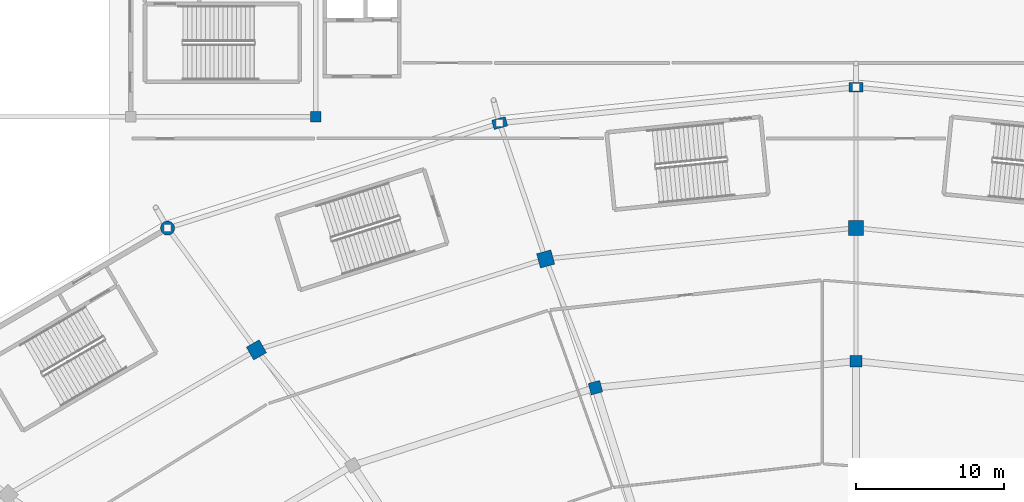
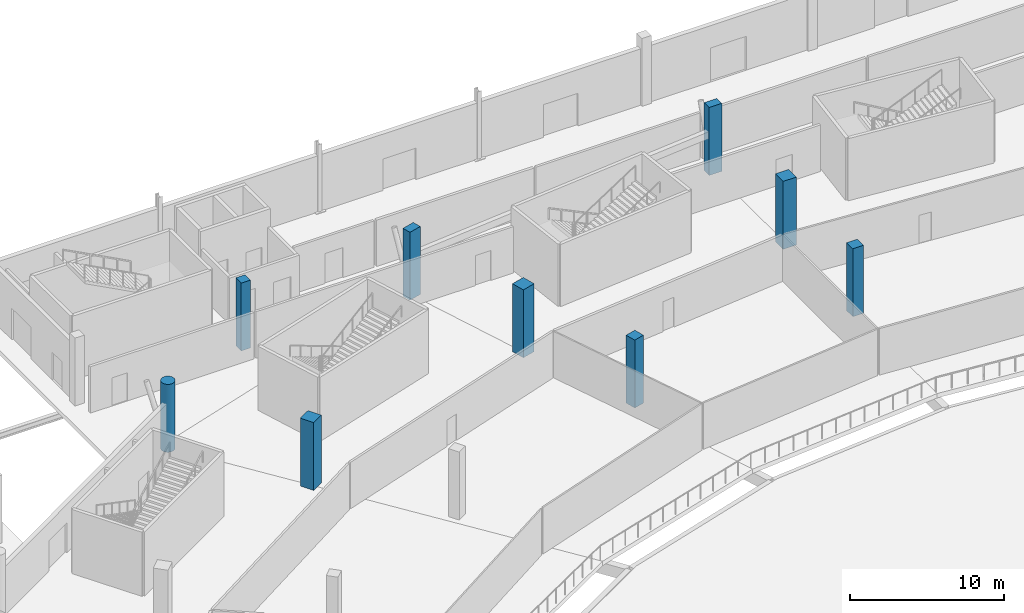
# One storey, part 18 of 82: 9 columns.
"""IFC4 building model written with IfcOpenShell, lengths in metres."""

from ifc_helpers import new_model, si_unit, direction, frame, origin, origin_2d, place, context, subcontext, project, spatial, rectangle, circle, extrude, material, material_profile, profile_set, type_object, element, save


model = new_model("IFC4")

# Units and contexts
model_context = context("Model", 3, precision=1e-05, world=origin(), true_north=direction((0.0, 1.0)))
body_context = subcontext(model_context, "Body", "Model", "MODEL_VIEW")
ifc_project = project(units=[si_unit("LENGTHUNIT", "METRE"), si_unit("AREAUNIT", "SQUARE_METRE"), si_unit("VOLUMEUNIT", "CUBIC_METRE"), si_unit("PLANEANGLEUNIT", "RADIAN"), si_unit("MASSUNIT", "GRAM", prefix="KILO")], contexts=[model_context])

# Site, building, storey
site_placement = place(None, origin())
site = spatial("IfcSite", under=ifc_project, at=site_placement, CompositionType="ELEMENT")
building_placement = place(site_placement, origin())
building = spatial("IfcBuilding", under=site, at=building_placement, Name="Zlatoyarsky Gate Stadium", CompositionType="ELEMENT")
storey_placement = place(building_placement, origin())
storey = spatial("IfcBuildingStorey", under=building, at=storey_placement, Name="L00", CompositionType="ELEMENT", Elevation=0.0)

# Columns
ifc_material = material(Name="Concrete C40/50", Category="concrete")
ifc_material_profile_1 = material_profile(ifc_material, circle(Radius=0.47509765625, at=origin_2d()), Name="RC COL D950")
ifc_profile_set_1 = profile_set([ifc_material_profile_1], Name="Concrete C40/50")
column_type_1 = type_object("IfcColumnType", Name="CONCRETE CIRCULAR COLUMN D950", PredefinedType="COLUMN", material=ifc_profile_set_1)
column_1_placement = place(storey_placement, frame((64.5, 141.48779296875, 0.0), z_axis=(0.0, 0.0, 1.0), x_axis=(-0.5, 0.866025403784, 0.0)))
element("IfcColumn", 1, at=column_1_placement, inside=storey, type_object=column_type_1, Name="Column RC-CD95 RC-08 on L00", PredefinedType="COLUMN", context=body_context, shape_type="SweptSolid", body=[
    extrude(circle(Radius=0.47509765625, at=origin_2d()), origin(), (0.0, 0.0, 1.0), 5.39990234375),
])
ifc_material_profile_2 = material_profile(ifc_material, rectangle(XDim=1.0, YDim=1.0, at=origin_2d()), Name="RC COL 1000X1000")
ifc_profile_set_2 = profile_set([ifc_material_profile_2], Name="Concrete C40/50")
column_type_2 = type_object("IfcColumnType", Name="CONCRETE COLUMN 1000X1000", PredefinedType="COLUMN", material=ifc_profile_set_2)
for number, where, z_axis, x_axis, name in (
    (2, (111.0, 141.5, 0.0), (0.0, 0.0, 1.0), (0.0, 1.0, 0.0), "Column RC-C100 RB-06 on L00"),
    (3, (90.03564453125, 139.404296875, 0.0), (0.0, 0.0, 1.0), (-0.258819045103, 0.965925826289, 0.0), "Column RC-C100 RB-07 on L00"),
    (4, (70.5, 133.260498046875, 0.0), (0.0, 0.0, 1.0), (-0.5, 0.866025403784, 0.0), "Column RC-C100 RB-08 on L00"),
):
    element("IfcColumn", number, at=place(storey_placement, frame(where, z_axis=z_axis, x_axis=x_axis)), inside=storey, type_object=column_type_2, Name=name, PredefinedType="COLUMN", context=body_context, shape_type="SweptSolid", body=[
        extrude(rectangle(XDim=1.0, YDim=1.0, at=origin_2d()), origin(), (0.0, 0.0, 1.0), 5.39990234375),
    ])
ifc_material_profile_3 = material_profile(ifc_material, rectangle(XDim=0.699951171875, YDim=0.699951171875, at=origin_2d()), Name="RC COL 700X700")
ifc_profile_set_3 = profile_set([ifc_material_profile_3], Name="Concrete C40/50")
column_type_3 = type_object("IfcColumnType", Name="CONCRETE COLUMN 700X700", PredefinedType="COLUMN", material=ifc_profile_set_3)
column_2_placement = place(storey_placement, frame((74.5, 149.0, 0.0), z_axis=(0.0, 0.0, 1.0), x_axis=(1.0, 0.0, 0.0)))
element("IfcColumn", 5, at=column_2_placement, inside=storey, type_object=column_type_3, Name="Column RC-C70 WG-7-P on L00", PredefinedType="COLUMN", context=body_context, shape_type="SweptSolid", body=[
    extrude(rectangle(XDim=0.699951171875, YDim=0.699951171875, at=origin_2d()), origin(), (0.0, 0.0, 1.0), 5.39990234375),
])
ifc_material_profile_4 = material_profile(ifc_material, rectangle(XDim=0.800048828125, YDim=0.800048828125, at=origin_2d()), Name="RC COL 800X800")
ifc_profile_set_4 = profile_set([ifc_material_profile_4], Name="Concrete C40/50")
column_type_4 = type_object("IfcColumnType", Name="CONCRETE COLUMN 800X800", PredefinedType="COLUMN", material=ifc_profile_set_4)
for number, where, z_axis, x_axis, name in (
    (6, (111.0, 132.5, 0.0), (0.0, 0.0, 1.0), (0.0, 1.0, 0.0), "Column RC-C80 RA-06 on L00"),
    (7, (93.400390625, 130.711181640625, 0.0), (0.0, 0.0, 1.0), (-0.258819045103, 0.965925826289, 0.0), "Column RC-C80 RA-07 on L00"),
):
    element("IfcColumn", number, at=place(storey_placement, frame(where, z_axis=z_axis, x_axis=x_axis)), inside=storey, type_object=column_type_4, Name=name, PredefinedType="COLUMN", context=body_context, shape_type="SweptSolid", body=[
        extrude(rectangle(XDim=0.800048828125, YDim=0.800048828125, at=origin_2d()), origin(), (0.0, 0.0, 1.0), 5.39990234375),
    ])
ifc_material_profile_5 = material_profile(ifc_material, rectangle(XDim=0.64990234375, YDim=0.949951171875, at=origin_2d()), Name="RC PILASTER 650X950")
ifc_profile_set_5 = profile_set([ifc_material_profile_5], Name="Concrete C40/50")
column_type_5 = type_object("IfcColumnType", Name="CONCRETE PORTAL PILASTER 650X950", PredefinedType="PILASTER", material=ifc_profile_set_5)
for number, where, z_axis, x_axis, name in (
    (8, (111.0, 151.0, 0.0), (0.0, 0.0, 1.0), (0.0, 1.0, 0.0), "Column RC-PL95 RC-06 on L00"),
    (9, (86.9296875, 148.580810546875, 0.0), (0.0, 0.0, 1.0), (-0.258819045103, 0.965925826289, 0.0), "Column RC-PL95 RC-07 on L00"),
):
    element("IfcColumn", number, at=place(storey_placement, frame(where, z_axis=z_axis, x_axis=x_axis)), inside=storey, type_object=column_type_5, Name=name, PredefinedType="PILASTER", context=body_context, shape_type="SweptSolid", body=[
        extrude(rectangle(XDim=0.64990234375, YDim=0.949951171875, at=origin_2d()), origin(), (0.0, 0.0, 1.0), 5.39990234375),
    ])

save(model, "model.ifc")
